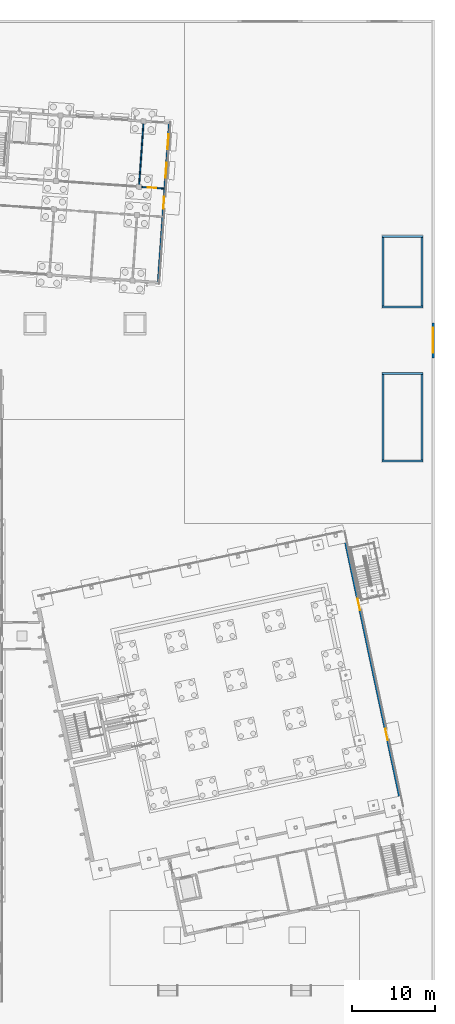
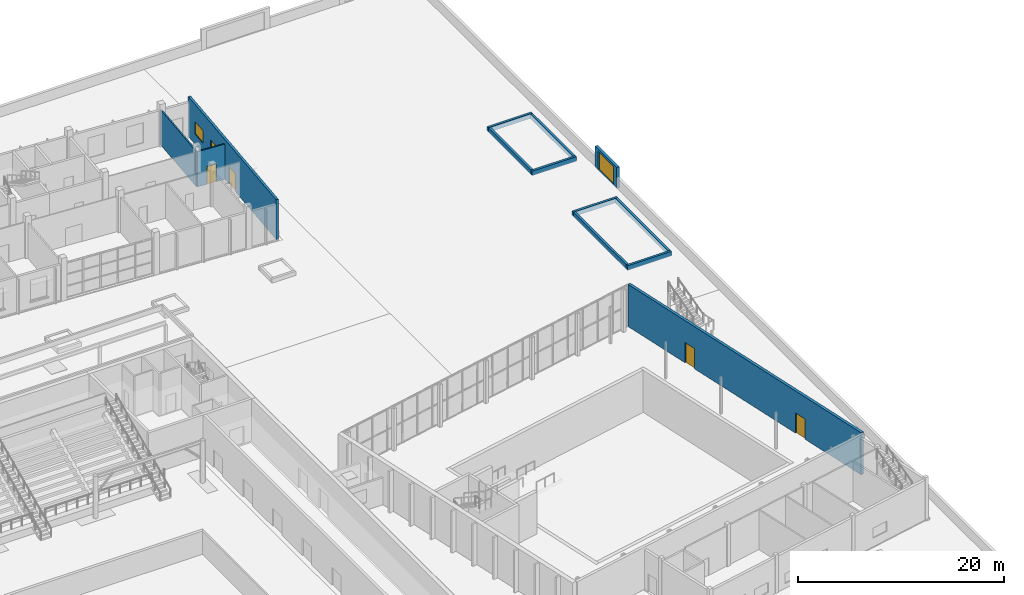
# One storey, part 107 of 157: 13 walls, 5 doors, 2 windows, 7 openings.
"""IFC4 building model written with IfcOpenShell, lengths in metres."""

from ifc_helpers import new_model, si_unit, direction, frame, frame_2d, origin, place, context, subcontext, project, spatial, rectangle, extrude, material, layer, layer_set, type_object, element, fill, save


model = new_model("IFC4")

# Units and contexts
model_context = context("Model", 3, precision=1e-05, world=origin(), true_north=direction((0.0, 1.0)))
body_context = subcontext(model_context, "Body", "Model", "MODEL_VIEW")
ifc_project = project(units=[si_unit("LENGTHUNIT", "METRE"), si_unit("AREAUNIT", "SQUARE_METRE"), si_unit("VOLUMEUNIT", "CUBIC_METRE"), si_unit("PLANEANGLEUNIT", "RADIAN"), si_unit("MASSUNIT", "GRAM", prefix="KILO")], contexts=[model_context])

# Site, building, storey
site_placement = place(None, origin())
site = spatial("IfcSite", under=ifc_project, at=site_placement, CompositionType="ELEMENT")
building_placement = place(site_placement, origin())
building = spatial("IfcBuilding", under=site, at=building_placement, Name="Windward Yard Aquatics Centre", CompositionType="ELEMENT")
storey_placement = place(building_placement, origin())
storey = spatial("IfcBuildingStorey", under=building, at=storey_placement, Name="L00", CompositionType="ELEMENT", Elevation=0.0)

# Wall, openings, doors
ifc_material_1 = material(Name="Concrete C35/45", Category="concrete")
ifc_layer_1 = layer(ifc_material_1, 0.300048828125)
ifc_layer_set_1 = layer_set([ifc_layer_1], Name="D diving hall external wall 300")
wall_type_1 = type_object("IfcWallType", Name="D diving hall external wall 300", PredefinedType="SOLIDWALL", material=ifc_layer_set_1)
wall_1_placement = place(storey_placement, frame((200.088134765625, 49.468505859375, 0.0), z_axis=(0.0, 0.0, 1.0), x_axis=(-0.207915737435, 0.97814674059, 0.0)))
wall_1 = element("IfcWall", 1, at=wall_1_placement, inside=storey, type_object=wall_type_1, Name="D.W.E.L00", PredefinedType="SOLIDWALL", context=body_context, shape_type="SweptSolid", body=[
    extrude(rectangle(XDim=33.820068359375, YDim=0.300048828125, at=frame_2d((16.91015625, 0.0))), origin(), (0.0, 0.0, 1.0), 5.0),
])
opening_1_placement = place(wall_1_placement, frame((9.5498046875, 0.0, 0.0), z_axis=(0.0, 0.0, 1.0), x_axis=(-1.0, 0.0, 0.0)))
opening_1 = element("IfcOpeningElement", 2, at=opening_1_placement, cuts=wall_1, Name="Opening D0003", PredefinedType="OPENING", context=body_context, shape_type="SweptSolid", body=[
    extrude(rectangle(XDim=1.39990234375, YDim=2.39990234375, at=frame_2d((0.699951171875, 1.199951171875))), frame((0.0, 0.16015625, 0.0), z_axis=(0.0, -1.0, 0.0), x_axis=(1.0, 0.0, 0.0)), (0.0, 0.0, 1.0), 0.320068359375),
])
opening_2_placement = place(wall_1_placement, frame((25.5498046875, 0.0, 0.0), z_axis=(0.0, 0.0, 1.0), x_axis=(-1.0, 0.0, 0.0)))
opening_2 = element("IfcOpeningElement", 3, at=opening_2_placement, cuts=wall_1, Name="Opening D0004", PredefinedType="OPENING", context=body_context, shape_type="SweptSolid", body=[
    extrude(rectangle(XDim=1.39990234375, YDim=2.39990234375, at=frame_2d((0.699951171875, 1.199951171875))), frame((0.0, 0.16015625, 0.0), z_axis=(0.0, -1.0, 0.0), x_axis=(1.0, 0.0, 0.0)), (0.0, 0.0, 1.0), 0.320068359375),
])
ifc_material_2 = material(Name="Steel door leaf in steel frame", Category="steel")
door_type_1 = type_object("IfcDoorType", Name="D steel door 1400X2400 FD60", OperationType="SINGLE_SWING_LEFT", PredefinedType="DOOR", material=ifc_material_2)
door_1_placement = place(opening_1_placement, origin())
door_1 = element("IfcDoor", 4, at=door_1_placement, inside=storey, type_object=door_type_1, Name="Diving hall exit door", OperationType="SINGLE_SWING_LEFT", OverallHeight=2.39990234375, OverallWidth=1.39990234375, PredefinedType="DOOR", context=body_context, shape_type="SweptSolid", body=[
    extrude(rectangle(XDim=1.39990234375, YDim=2.39990234375, at=frame_2d((0.699951171875, 1.199951171875))), frame((0.0, 0.02490234375, 0.0), z_axis=(0.0, -1.0, 0.0), x_axis=(1.0, 0.0, 0.0)), (0.0, 0.0, 1.0), 0.050048828125),
])
fill(opening_1, door_1)
door_2_placement = place(opening_2_placement, origin())
door_2 = element("IfcDoor", 5, at=door_2_placement, inside=storey, type_object=door_type_1, Name="Diving hall exit door", OperationType="SINGLE_SWING_LEFT", OverallHeight=2.39990234375, OverallWidth=1.39990234375, PredefinedType="DOOR", context=body_context, shape_type="SweptSolid", body=[
    extrude(rectangle(XDim=1.39990234375, YDim=2.39990234375, at=frame_2d((0.699951171875, 1.199951171875))), frame((0.0, 0.02490234375, 0.0), z_axis=(0.0, -1.0, 0.0), x_axis=(1.0, 0.0, 0.0)), (0.0, 0.0, 1.0), 0.050048828125),
])
fill(opening_2, door_2)

# Wall, openings, windows, door
ifc_material_3 = material(Name="Concrete C40/50", Category="concrete")
ifc_layer_2 = layer(ifc_material_3, 0.25)
ifc_layer_set_2 = layer_set([ifc_layer_2], Name="W facade wall 250 Precast Concrete C40/50")
wall_type_2 = type_object("IfcWallType", Name="W facade wall 250 Precast Concrete C40/50", PredefinedType="SOLIDWALL", material=ifc_layer_set_2)
wall_2_placement = place(storey_placement, frame((170.80078125, 112.3388671875, 0.0), z_axis=(0.0, 0.0, 1.0), x_axis=(0.069765298421, 0.997563433139, 0.0)))
wall_2 = element("IfcWall", 6, at=wall_2_placement, inside=storey, type_object=wall_type_2, Name="W.FW.L00.E.0.3", PredefinedType="SOLIDWALL", context=body_context, shape_type="SweptSolid", body=[
    extrude(rectangle(XDim=19.449951171875, YDim=0.25, at=frame_2d((9.72509765625, 0.0))), origin(), (0.0, 0.0, 1.0), 4.719970703125),
])
opening_3_placement = place(wall_2_placement, frame((8.97509765625, 0.0, 0.0)))
opening_3 = element("IfcOpeningElement", 7, at=opening_3_placement, cuts=wall_2, Name="Opening W0003", PredefinedType="OPENING", context=body_context, shape_type="SweptSolid", body=[
    extrude(rectangle(XDim=1.5, YDim=2.10009765625, at=frame_2d((0.75, 1.050048828125))), frame((0.0, 0.135009765625, 0.0), z_axis=(0.0, -1.0, 0.0), x_axis=(1.0, 0.0, 0.0)), (0.0, 0.0, 1.0), 0.27001953125),
])
opening_4_placement = place(wall_2_placement, frame((12.75, 0.0, 1.199951171875)))
opening_4 = element("IfcOpeningElement", 8, at=opening_4_placement, cuts=wall_2, Name="Opening W0512", PredefinedType="OPENING", context=body_context, shape_type="SweptSolid", body=[
    extrude(rectangle(XDim=1.800048828125, YDim=1.5, at=frame_2d((0.89990234375, 0.75))), frame((0.0, 0.135009765625, 0.0), z_axis=(0.0, -1.0, 0.0), x_axis=(1.0, 0.0, 0.0)), (0.0, 0.0, 1.0), 0.27001953125),
])
opening_5_placement = place(wall_2_placement, frame((16.199951171875, 0.0, 1.199951171875)))
opening_5 = element("IfcOpeningElement", 9, at=opening_5_placement, cuts=wall_2, Name="Opening W0513", PredefinedType="OPENING", context=body_context, shape_type="SweptSolid", body=[
    extrude(rectangle(XDim=1.800048828125, YDim=1.5, at=frame_2d((0.89990234375, 0.75))), frame((0.0, 0.135009765625, 0.0), z_axis=(0.0, -1.0, 0.0), x_axis=(1.0, 0.0, 0.0)), (0.0, 0.0, 1.0), 0.27001953125),
])
ifc_material_4 = material(Name="Aluminium storm louvre", Category="aluminium")
window_type = type_object("IfcWindowType", Name="W storm louvre 1800x1500", PartitioningType="SINGLE_PANEL", PredefinedType="WINDOW", material=ifc_material_4)
window_1_placement = place(opening_4_placement, origin())
window_1 = element("IfcWindow", 10, at=window_1_placement, inside=storey, type_object=window_type, Name="W.WN.L00.W0512", OverallHeight=1.5, OverallWidth=1.800048828125, PartitioningType="SINGLE_PANEL", PredefinedType="WINDOW", context=body_context, shape_type="SweptSolid", body=[
    extrude(rectangle(XDim=1.800048828125, YDim=1.5, at=frame_2d((0.89990234375, 0.75))), frame((0.0, 0.030029296875, 0.0), z_axis=(0.0, -1.0, 0.0), x_axis=(1.0, 0.0, 0.0)), (0.0, 0.0, 1.0), 0.06005859375),
])
fill(opening_4, window_1)
window_2_placement = place(opening_5_placement, origin())
window_2 = element("IfcWindow", 11, at=window_2_placement, inside=storey, type_object=window_type, Name="W.WN.L00.W0513", OverallHeight=1.5, OverallWidth=1.800048828125, PartitioningType="SINGLE_PANEL", PredefinedType="WINDOW", context=body_context, shape_type="SweptSolid", body=[
    extrude(rectangle(XDim=1.800048828125, YDim=1.5, at=frame_2d((0.89990234375, 0.75))), frame((0.0, 0.030029296875, 0.0), z_axis=(0.0, -1.0, 0.0), x_axis=(1.0, 0.0, 0.0)), (0.0, 0.0, 1.0), 0.06005859375),
])
fill(opening_5, window_2)
ifc_material_5 = material(Name="Aluminium and glass door", Category="aluminium")
door_type_2 = type_object("IfcDoorType", Name="W terrace door 1500x2100", OperationType="DOUBLE_DOOR_SINGLE_SWING", PredefinedType="DOOR", material=ifc_material_5)
door_3_placement = place(opening_3_placement, origin())
door_3 = element("IfcDoor", 12, at=door_3_placement, inside=storey, type_object=door_type_2, Name="W.DRX.L00.W0003", OperationType="DOUBLE_DOOR_SINGLE_SWING", OverallHeight=2.10009765625, OverallWidth=1.5, PredefinedType="DOOR", context=body_context, shape_type="SweptSolid", body=[
    extrude(rectangle(XDim=1.5, YDim=2.10009765625, at=frame_2d((0.75, 1.050048828125))), frame((0.0, 0.02490234375, 0.0), z_axis=(0.0, -1.0, 0.0), x_axis=(1.0, 0.0, 0.0)), (0.0, 0.0, 1.0), 0.050048828125),
])
fill(opening_3, door_3)

# Wall
ifc_material_6 = material(Name="Blockwork partition", Category="masonry")
ifc_layer_3 = layer(ifc_material_6, 0.14990234375)
ifc_layer_set_3 = layer_set([ifc_layer_3], Name="W partition 150 fire rated")
wall_type_3 = type_object("IfcWallType", Name="W partition 150 fire rated", PredefinedType="PARTITIONING", material=ifc_layer_set_3)
wall_3_placement = place(storey_placement, frame((168.50537109375, 123.9521484375, 0.0), z_axis=(0.0, 0.0, 1.0), x_axis=(0.0697491702, 0.997564560947, 0.0)))
element("IfcWall", 13, at=wall_3_placement, inside=storey, type_object=wall_type_3, Name="W.WL.L00.018", PredefinedType="PARTITIONING", context=body_context, shape_type="SweptSolid", body=[
    extrude(rectangle(XDim=7.900146484375, YDim=0.14990234375, at=frame_2d((3.9501953125, 0.0))), origin(), (0.0, 0.0, 1.0), 4.169921875),
])

# Wall, opening, door
wall_4_placement = place(storey_placement, frame((168.50537109375, 123.9521484375, 0.0), z_axis=(0.0, 0.0, 1.0), x_axis=(0.997562750893, -0.069775053074, 0.0)))
wall_4 = element("IfcWall", 14, at=wall_4_placement, inside=storey, type_object=wall_type_3, Name="W.WL.L00.031", PredefinedType="PARTITIONING", context=body_context, shape_type="SweptSolid", body=[
    extrude(rectangle(XDim=3.10009765625, YDim=0.14990234375, at=frame_2d((1.550048828125, 0.0))), origin(), (0.0, 0.0, 1.0), 4.169921875),
])
opening_6_placement = place(wall_4_placement, frame((1.050048828125, 0.0, 0.0)))
opening_6 = element("IfcOpeningElement", 15, at=opening_6_placement, cuts=wall_4, Name="Opening W0023", PredefinedType="OPENING", context=body_context, shape_type="SweptSolid", body=[
    extrude(rectangle(XDim=1.0, YDim=2.10009765625, at=frame_2d((0.5, 1.050048828125))), frame((0.0, 0.0849609375, 0.0), z_axis=(0.0, -1.0, 0.0), x_axis=(1.0, 0.0, 0.0)), (0.0, 0.0, 1.0), 0.169921875),
])
ifc_material_7 = material(Name="Steel fire door leaf", Category="steel")
door_type_3 = type_object("IfcDoorType", Name="W fire door FD60 1000x2100", OperationType="SINGLE_SWING_LEFT", PredefinedType="DOOR", material=ifc_material_7)
door_4_placement = place(opening_6_placement, origin())
door_4 = element("IfcDoor", 16, at=door_4_placement, inside=storey, type_object=door_type_3, Name="W.DRI.L00.019", OperationType="SINGLE_SWING_LEFT", OverallHeight=2.10009765625, OverallWidth=1.0, PredefinedType="DOOR", context=body_context, shape_type="SweptSolid", body=[
    extrude(rectangle(XDim=1.0, YDim=2.10009765625, at=frame_2d((0.5, 1.050048828125))), frame((0.0, 0.02490234375, 0.0), z_axis=(0.0, -1.0, 0.0), x_axis=(1.0, 0.0, 0.0)), (0.0, 0.0, 1.0), 0.050048828125),
])
fill(opening_6, door_4)

ifc_material_8 = material(Name="Concrete C30/37", Category="concrete")
ifc_layer_4 = layer(ifc_material_8, 0.300048828125)
ifc_layer_set_4 = layer_set([ifc_layer_4], Name="X Gate Wall Concrete C30/37 300 x 2400")
wall_type_4 = type_object("IfcWallType", Name="X Gate Wall Concrete C30/37 300 x 2400", PredefinedType="SOLIDWALL", material=ifc_layer_set_4)
wall_5_placement = place(storey_placement, frame((203.85009765625, 103.39990234375, -0.10009765625), z_axis=(0.0, 0.0, 1.0), x_axis=(0.0, 1.0, 0.0)))
wall_5 = element("IfcWall", 17, at=wall_5_placement, inside=storey, type_object=wall_type_4, Name="Gate wall E2", PredefinedType="SOLIDWALL", context=body_context, shape_type="SweptSolid", body=[
    extrude(rectangle(XDim=4.2001953125, YDim=0.300048828125, at=frame_2d((2.10009765625, 0.0))), origin(), (0.0, 0.0, 1.0), 2.5),
])
opening_7_placement = place(wall_5_placement, frame((0.60009765625, 0.0, 0.10009765625)))
opening_7 = element("IfcOpeningElement", 18, at=opening_7_placement, cuts=wall_5, Name="Opening X0010", PredefinedType="OPENING", context=body_context, shape_type="SweptSolid", body=[
    extrude(rectangle(XDim=3.0, YDim=2.10009765625, at=frame_2d((1.5, 1.050048828125))), frame((0.0, 0.16015625, 0.0), z_axis=(0.0, -1.0, 0.0), x_axis=(1.0, 0.0, 0.0)), (0.0, 0.0, 1.0), 0.320068359375),
])
ifc_material_9 = material(Name="Galvanised steel gate leaf", Category="steel")
door_type_4 = type_object("IfcDoorType", Name="X Pedestrian Gate Double 3000 x 2100", OperationType="DOUBLE_DOOR_DOUBLE_SWING", PredefinedType="DOOR", material=ifc_material_9)
door_5_placement = place(opening_7_placement, origin())
door_5 = element("IfcDoor", 19, at=door_5_placement, inside=storey, type_object=door_type_4, Name="Pedestrian exit gate G4", OperationType="DOUBLE_DOOR_DOUBLE_SWING", OverallHeight=2.10009765625, OverallWidth=3.0, PredefinedType="DOOR", context=body_context, shape_type="SweptSolid", body=[
    extrude(rectangle(XDim=3.0, YDim=2.10009765625, at=frame_2d((1.5, 1.050048828125))), frame((0.0, 0.02490234375, 0.0), z_axis=(0.0, -1.0, 0.0), x_axis=(1.0, 0.0, 0.0)), (0.0, 0.0, 1.0), 0.050048828125),
])
fill(opening_7, door_5)

# Walls
ifc_material_10 = material(Name="Bituminous waterproofing membrane with root barrier")
ifc_layer_5 = layer(ifc_material_10, 0.005, Name="Waterproofing and root barrier")
ifc_layer_6 = layer(ifc_material_8, 0.245, Name="Structure")
ifc_layer_set_5 = layer_set([ifc_layer_5, ifc_layer_6], Name="X Planter Wall Concrete C30/37 250 x 550")
wall_type_5 = type_object("IfcWallType", Name="X Planter Wall Concrete C30/37 250 x 550", PredefinedType="USERDEFINED", material=ifc_layer_set_5)
for number, where, z_axis, x_axis, name in (
    (20, (197.675048828125, 91.0, -0.10009765625), (0.0, 0.0, 1.0), (1.0, 0.0, 0.0), "East forecourt planting south planter wall"),
    (21, (197.675048828125, 101.5, -0.10009765625), (0.0, 0.0, 1.0), (1.0, 0.0, 0.0), "East forecourt planting south planter wall"),
):
    element("IfcWall", number, at=place(storey_placement, frame(where, z_axis=z_axis, x_axis=x_axis)), inside=storey, type_object=wall_type_5, Name=name, ObjectType="PLANTER WALL", PredefinedType="USERDEFINED", context=body_context, shape_type="SweptSolid", body=[
        extrude(rectangle(XDim=4.949951171875, YDim=0.25, at=frame_2d((2.47509765625, 0.0))), origin(), (0.0, 0.0, 1.0), 0.550048828125),
    ])
for number, where, z_axis, x_axis, name in (
    (22, (197.800048828125, 91.125, -0.10009765625), (0.0, 0.0, 1.0), (0.0, 1.0, 0.0), "East forecourt planting south planter wall"),
    (23, (202.5, 91.125, -0.10009765625), (0.0, 0.0, 1.0), (0.0, 1.0, 0.0), "East forecourt planting south planter wall"),
):
    element("IfcWall", number, at=place(storey_placement, frame(where, z_axis=z_axis, x_axis=x_axis)), inside=storey, type_object=wall_type_5, Name=name, ObjectType="PLANTER WALL", PredefinedType="USERDEFINED", context=body_context, shape_type="SweptSolid", body=[
        extrude(rectangle(XDim=10.25, YDim=0.25, at=frame_2d((5.125, 0.0))), origin(), (0.0, 0.0, 1.0), 0.550048828125),
    ])
for number, where, z_axis, x_axis, name in (
    (24, (197.675048828125, 109.5, -0.10009765625), (0.0, 0.0, 1.0), (1.0, 0.0, 0.0), "East forecourt planting north planter wall"),
    (25, (197.675048828125, 118.0, -0.10009765625), (0.0, 0.0, 1.0), (1.0, 0.0, 0.0), "East forecourt planting north planter wall"),
):
    element("IfcWall", number, at=place(storey_placement, frame(where, z_axis=z_axis, x_axis=x_axis)), inside=storey, type_object=wall_type_5, Name=name, ObjectType="PLANTER WALL", PredefinedType="USERDEFINED", context=body_context, shape_type="SweptSolid", body=[
        extrude(rectangle(XDim=4.949951171875, YDim=0.25, at=frame_2d((2.47509765625, 0.0))), origin(), (0.0, 0.0, 1.0), 0.550048828125),
    ])
for number, where, z_axis, x_axis, name in (
    (26, (197.800048828125, 109.625, -0.10009765625), (0.0, 0.0, 1.0), (0.0, 1.0, 0.0), "East forecourt planting north planter wall"),
    (27, (202.5, 109.625, -0.10009765625), (0.0, 0.0, 1.0), (0.0, 1.0, 0.0), "East forecourt planting north planter wall"),
):
    element("IfcWall", number, at=place(storey_placement, frame(where, z_axis=z_axis, x_axis=x_axis)), inside=storey, type_object=wall_type_5, Name=name, ObjectType="PLANTER WALL", PredefinedType="USERDEFINED", context=body_context, shape_type="SweptSolid", body=[
        extrude(rectangle(XDim=8.25, YDim=0.25, at=frame_2d((4.125, 0.0))), origin(), (0.0, 0.0, 1.0), 0.550048828125),
    ])

save(model, "model.ifc")
